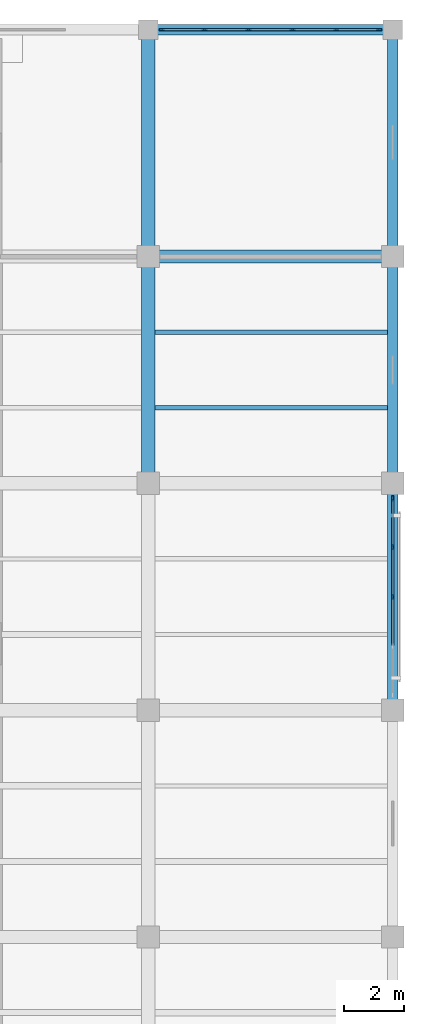
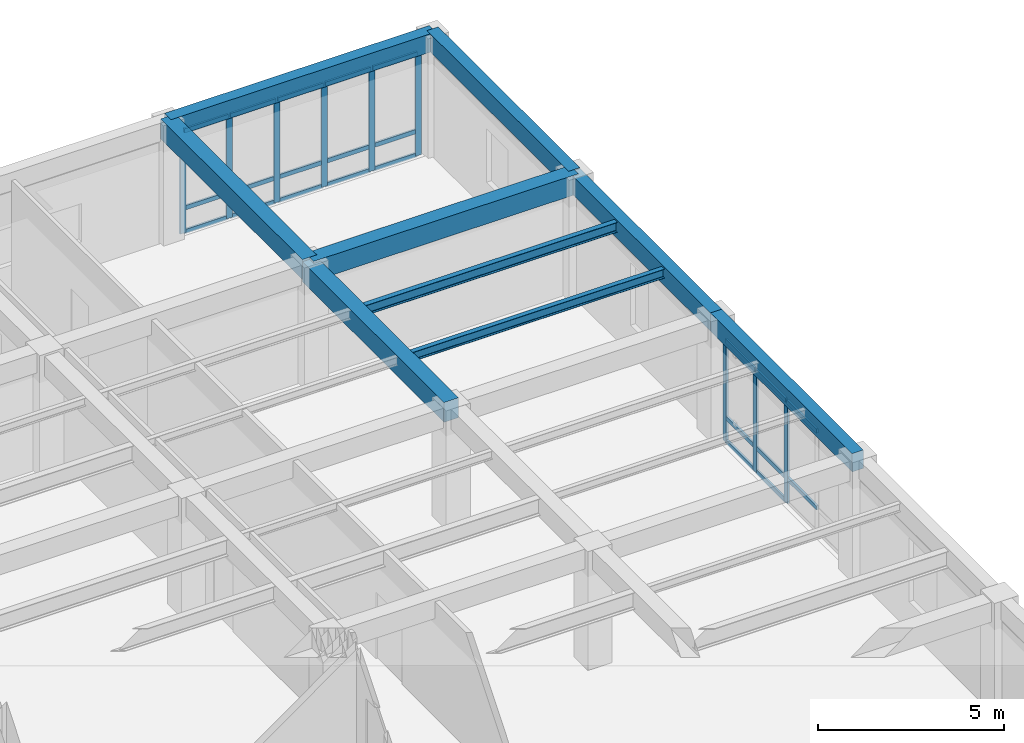
# One storey, part 5 of 14: 32 members, 9 beams, 2 elements without a shape of their own.
"""IFC4 building model written with IfcOpenShell, lengths in metres."""

from ifc_helpers import new_model, si_unit, direction, frame, origin, origin_2d, place, context, subcontext, project, spatial, rectangle, i_section, extrude, material, material_profile, profile_set, type_object, element, aggregate, save


model = new_model("IFC4")

# Units and contexts
model_context = context("Model", 3, precision=1e-05, world=origin(), true_north=direction((0.0, 1.0)))
body_context = subcontext(model_context, "Body", "Model", "MODEL_VIEW")
ifc_project = project(units=[si_unit("LENGTHUNIT", "METRE"), si_unit("AREAUNIT", "SQUARE_METRE"), si_unit("VOLUMEUNIT", "CUBIC_METRE"), si_unit("PLANEANGLEUNIT", "RADIAN"), si_unit("MASSUNIT", "GRAM", prefix="KILO")], contexts=[model_context])

# Site, building, storey
site_placement = place(None, origin())
site = spatial("IfcSite", under=ifc_project, at=site_placement, CompositionType="ELEMENT")
building_placement = place(site_placement, origin())
building = spatial("IfcBuilding", under=site, at=building_placement, Name="Qandaris Square Conservatory and Botanical Centre", CompositionType="ELEMENT")
storey_placement = place(building_placement, frame((0.0, 0.0, 49.199951171875)))
storey = spatial("IfcBuildingStorey", under=building, at=storey_placement, Name="L11", CompositionType="ELEMENT", Elevation=49.199951171875)

# Beams
ifc_material_1 = material(Name="Steel S355", Category="steel")
ifc_material_profile_1 = material_profile(ifc_material_1, i_section(OverallWidth=0.14990234375, OverallDepth=0.300048828125, WebThickness=0.007080078125, FlangeThickness=0.0107421875, FilletRadius=0.014892578125, at=origin_2d()), Name="IPE 300")
ifc_profile_set_1 = profile_set([ifc_material_profile_1], Name="Steel S355")
beam_type_1 = type_object("IfcBeamType", Name="Composite Lab Joist IPE 300", PredefinedType="JOIST", material=ifc_profile_set_1)
beam_1_placement = place(storey_placement, frame((155.824951171875, 57.13330078125, 3.739990234375), z_axis=(1.0, 0.0, 0.0), x_axis=(0.0, 1.0, 0.0)))
element("IfcBeam", 1, at=beam_1_placement, inside=storey, type_object=beam_type_1, Name="L11 Composite Joist 2642", PredefinedType="JOIST", context=body_context, shape_type="SweptSolid", body=[
    extrude(i_section(OverallWidth=0.14990234375, OverallDepth=0.300048828125, WebThickness=0.007080078125, FlangeThickness=0.0107421875, FilletRadius=0.014892578125, at=origin_2d()), origin(), (0.0, 0.0, 1.0), 7.800048828125),
])
ifc_material_profile_2 = material_profile(ifc_material_1, i_section(OverallWidth=0.159912109375, OverallDepth=0.330078125, WebThickness=0.007568359375, FlangeThickness=0.011474609375, FilletRadius=0.01806640625, at=origin_2d()), Name="IPE 330")
ifc_profile_set_2 = profile_set([ifc_material_profile_2], Name="Steel S355")
beam_type_2 = type_object("IfcBeamType", Name="Composite Lab Joist IPE 330", PredefinedType="JOIST", material=ifc_profile_set_2)
beam_2_placement = place(storey_placement, frame((155.824951171875, 59.666748046875, 3.72509765625), z_axis=(1.0, 0.0, 0.0), x_axis=(0.0, 1.0, 0.0)))
element("IfcBeam", 2, at=beam_2_placement, inside=storey, type_object=beam_type_2, Name="L11 Composite Joist 2643", PredefinedType="JOIST", context=body_context, shape_type="SweptSolid", body=[
    extrude(i_section(OverallWidth=0.159912109375, OverallDepth=0.330078125, WebThickness=0.007568359375, FlangeThickness=0.011474609375, FilletRadius=0.01806640625, at=origin_2d()), origin(), (0.0, 0.0, 1.0), 7.800048828125),
])

# Curtain wall, members
ifc_material_2 = material(Name="Anodised Aluminium", Category="aluminium")
curtain_wall_type_1 = type_object("IfcCurtainWallType", Name="Unitised Curtain Wall CW-4-665x334", PredefinedType="USERDEFINED", material=ifc_material_2)
curtain_wall_1_placement = place(storey_placement, origin())
curtain_wall_1 = element("IfcCurtainWall", 3, at=curtain_wall_1_placement, inside=storey, type_object=curtain_wall_type_1, Name="Curtain Wall CW-TWR-L11-2-5", ObjectType="GLAZED CURTAIN WALL", PredefinedType="USERDEFINED")
ifc_material_profile_3 = material_profile(ifc_material_2, rectangle(XDim=0.06494140625, YDim=0.179931640625, at=origin_2d()), Name="ALU-MUL 65x180")
ifc_profile_set_3 = profile_set([ifc_material_profile_3], Name="Anodised Aluminium")
member_type_1 = type_object("IfcMemberType", Name="Curtain Wall Mullion 65x180", PredefinedType="MULLION", material=ifc_profile_set_3)
member_1_placement = place(storey_placement, frame((163.800048828125, 50.800048828125, 0.0), z_axis=(0.0, 0.0, 1.0), x_axis=(-1.0, 0.0, 0.0)))
member_1 = element("IfcMember", 4, at=member_1_placement, type_object=member_type_1, Name="CW-4-665x334 mullion 3", PredefinedType="MULLION", context=body_context, shape_type="SweptSolid", body=[
    extrude(rectangle(XDim=0.06494140625, YDim=0.179931640625, at=origin_2d()), origin(), (0.0, 0.0, 1.0), 3.344970703125),
])
member_2_placement = place(storey_placement, frame((163.800048828125, 52.46240234375, 0.0), z_axis=(0.0, 0.0, 1.0), x_axis=(-1.0, 0.0, 0.0)))
member_2 = element("IfcMember", 5, at=member_2_placement, type_object=member_type_1, Name="CW-4-665x334 mullion 4", PredefinedType="MULLION", context=body_context, shape_type="SweptSolid", body=[
    extrude(rectangle(XDim=0.06494140625, YDim=0.179931640625, at=origin_2d()), origin(), (0.0, 0.0, 1.0), 3.344970703125),
])
member_3_placement = place(storey_placement, frame((163.800048828125, 54.092529296875, 0.0), z_axis=(0.0, 0.0, 1.0), x_axis=(-1.0, 0.0, 0.0)))
member_3 = element("IfcMember", 6, at=member_3_placement, type_object=member_type_1, Name="CW-4-665x334 mullion 5", PredefinedType="MULLION", context=body_context, shape_type="SweptSolid", body=[
    extrude(rectangle(XDim=0.06494140625, YDim=0.179931640625, at=origin_2d()), origin(), (0.0, 0.0, 1.0), 3.344970703125),
])

curtain_wall_type_2 = type_object("IfcCurtainWallType", Name="Unitised Curtain Wall CW-3-735x337", PredefinedType="USERDEFINED", material=ifc_material_2)
curtain_wall_2_placement = place(storey_placement, origin())
curtain_wall_2 = element("IfcCurtainWall", 7, at=curtain_wall_2_placement, inside=storey, type_object=curtain_wall_type_2, Name="Curtain Wall CW-TWR-L11-3-1", ObjectType="GLAZED CURTAIN WALL", PredefinedType="USERDEFINED")
member_4_placement = place(storey_placement, frame((163.342529296875, 69.800048828125, 0.0), z_axis=(0.0, 0.0, 1.0), x_axis=(0.0, -1.0, 0.0)))
member_4 = element("IfcMember", 8, at=member_4_placement, type_object=member_type_1, Name="CW-3-735x337 mullion 1", PredefinedType="MULLION", context=body_context, shape_type="SweptSolid", body=[
    extrude(rectangle(XDim=0.06494140625, YDim=0.179931640625, at=origin_2d()), origin(), (0.0, 0.0, 1.0), 3.3701171875),
])
member_5_placement = place(storey_placement, frame((161.905029296875, 69.800048828125, 0.0), z_axis=(0.0, 0.0, 1.0), x_axis=(0.0, -1.0, 0.0)))
member_5 = element("IfcMember", 9, at=member_5_placement, type_object=member_type_1, Name="CW-3-735x337 mullion 2", PredefinedType="MULLION", context=body_context, shape_type="SweptSolid", body=[
    extrude(rectangle(XDim=0.06494140625, YDim=0.179931640625, at=origin_2d()), origin(), (0.0, 0.0, 1.0), 3.3701171875),
])
member_6_placement = place(storey_placement, frame((160.43505859375, 69.800048828125, 0.0), z_axis=(0.0, 0.0, 1.0), x_axis=(0.0, -1.0, 0.0)))
member_6 = element("IfcMember", 10, at=member_6_placement, type_object=member_type_1, Name="CW-3-735x337 mullion 3", PredefinedType="MULLION", context=body_context, shape_type="SweptSolid", body=[
    extrude(rectangle(XDim=0.06494140625, YDim=0.179931640625, at=origin_2d()), origin(), (0.0, 0.0, 1.0), 3.3701171875),
])
member_7_placement = place(storey_placement, frame((158.965087890625, 69.800048828125, 0.0), z_axis=(0.0, 0.0, 1.0), x_axis=(0.0, -1.0, 0.0)))
member_7 = element("IfcMember", 11, at=member_7_placement, type_object=member_type_1, Name="CW-3-735x337 mullion 4", PredefinedType="MULLION", context=body_context, shape_type="SweptSolid", body=[
    extrude(rectangle(XDim=0.06494140625, YDim=0.179931640625, at=origin_2d()), origin(), (0.0, 0.0, 1.0), 3.3701171875),
])
member_8_placement = place(storey_placement, frame((157.4951171875, 69.800048828125, 0.0), z_axis=(0.0, 0.0, 1.0), x_axis=(0.0, -1.0, 0.0)))
member_8 = element("IfcMember", 12, at=member_8_placement, type_object=member_type_1, Name="CW-3-735x337 mullion 5", PredefinedType="MULLION", context=body_context, shape_type="SweptSolid", body=[
    extrude(rectangle(XDim=0.06494140625, YDim=0.179931640625, at=origin_2d()), origin(), (0.0, 0.0, 1.0), 3.3701171875),
])
member_9_placement = place(storey_placement, frame((156.0576171875, 69.800048828125, 0.0), z_axis=(0.0, 0.0, 1.0), x_axis=(0.0, -1.0, 0.0)))
member_9 = element("IfcMember", 13, at=member_9_placement, type_object=member_type_1, Name="CW-3-735x337 mullion 6", PredefinedType="MULLION", context=body_context, shape_type="SweptSolid", body=[
    extrude(rectangle(XDim=0.06494140625, YDim=0.179931640625, at=origin_2d()), origin(), (0.0, 0.0, 1.0), 3.3701171875),
])

# Member
ifc_material_profile_4 = material_profile(ifc_material_2, rectangle(XDim=0.06494140625, YDim=0.139892578125, at=origin_2d()), Name="ALU-TRN 65x140")
ifc_profile_set_4 = profile_set([ifc_material_profile_4], Name="Anodised Aluminium")
member_type_2 = type_object("IfcMemberType", Name="Curtain Wall Transom 65x140", PredefinedType="USERDEFINED", material=ifc_profile_set_4)
member_10_placement = place(storey_placement, frame((163.800048828125, 49.169921875, 0.802734375), z_axis=(0.0, 1.0, 0.0), x_axis=(-1.0, 0.0, 0.0)))
member_10 = element("IfcMember", 14, at=member_10_placement, type_object=member_type_2, Name="CW-4-665x334 transom 2.2", ObjectType="TRANSOM", PredefinedType="USERDEFINED", context=body_context, shape_type="SweptSolid", body=[
    extrude(rectangle(XDim=0.06494140625, YDim=0.139892578125, at=origin_2d()), origin(), (0.0, 0.0, 1.0), 1.59765625),
])

member_11_placement = place(storey_placement, frame((163.800048828125, 49.169921875, 3.3125), z_axis=(0.0, 1.0, 0.0), x_axis=(-1.0, 0.0, 0.0)))
member_11 = element("IfcMember", 15, at=member_11_placement, type_object=member_type_2, Name="CW-4-665x334 transom 2.3", ObjectType="TRANSOM", PredefinedType="USERDEFINED", context=body_context, shape_type="SweptSolid", body=[
    extrude(rectangle(XDim=0.06494140625, YDim=0.139892578125, at=origin_2d()), origin(), (0.0, 0.0, 1.0), 1.59765625),
])

member_12_placement = place(storey_placement, frame((163.800048828125, 50.83251953125, 0.032470703125), z_axis=(0.0, 1.0, 0.0), x_axis=(-1.0, 0.0, 0.0)))
member_12 = element("IfcMember", 16, at=member_12_placement, type_object=member_type_2, Name="CW-4-665x334 transom 3.1", ObjectType="TRANSOM", PredefinedType="USERDEFINED", context=body_context, shape_type="SweptSolid", body=[
    extrude(rectangle(XDim=0.06494140625, YDim=0.139892578125, at=origin_2d()), origin(), (0.0, 0.0, 1.0), 1.597412109375),
])

member_13_placement = place(storey_placement, frame((163.800048828125, 50.83251953125, 0.802734375), z_axis=(0.0, 1.0, 0.0), x_axis=(-1.0, 0.0, 0.0)))
member_13 = element("IfcMember", 17, at=member_13_placement, type_object=member_type_2, Name="CW-4-665x334 transom 3.2", ObjectType="TRANSOM", PredefinedType="USERDEFINED", context=body_context, shape_type="SweptSolid", body=[
    extrude(rectangle(XDim=0.06494140625, YDim=0.139892578125, at=origin_2d()), origin(), (0.0, 0.0, 1.0), 1.597412109375),
])

member_14_placement = place(storey_placement, frame((163.800048828125, 50.83251953125, 3.3125), z_axis=(0.0, 1.0, 0.0), x_axis=(-1.0, 0.0, 0.0)))
member_14 = element("IfcMember", 18, at=member_14_placement, type_object=member_type_2, Name="CW-4-665x334 transom 3.3", ObjectType="TRANSOM", PredefinedType="USERDEFINED", context=body_context, shape_type="SweptSolid", body=[
    extrude(rectangle(XDim=0.06494140625, YDim=0.139892578125, at=origin_2d()), origin(), (0.0, 0.0, 1.0), 1.597412109375),
])

member_15_placement = place(storey_placement, frame((163.800048828125, 52.4951171875, 0.032470703125), z_axis=(0.0, 1.0, 0.0), x_axis=(-1.0, 0.0, 0.0)))
member_15 = element("IfcMember", 19, at=member_15_placement, type_object=member_type_2, Name="CW-4-665x334 transom 4.1", ObjectType="TRANSOM", PredefinedType="USERDEFINED", context=body_context, shape_type="SweptSolid", body=[
    extrude(rectangle(XDim=0.06494140625, YDim=0.139892578125, at=origin_2d()), origin(), (0.0, 0.0, 1.0), 1.56494140625),
])

member_16_placement = place(storey_placement, frame((163.800048828125, 52.4951171875, 0.802734375), z_axis=(0.0, 1.0, 0.0), x_axis=(-1.0, 0.0, 0.0)))
member_16 = element("IfcMember", 20, at=member_16_placement, type_object=member_type_2, Name="CW-4-665x334 transom 4.2", ObjectType="TRANSOM", PredefinedType="USERDEFINED", context=body_context, shape_type="SweptSolid", body=[
    extrude(rectangle(XDim=0.06494140625, YDim=0.139892578125, at=origin_2d()), origin(), (0.0, 0.0, 1.0), 1.56494140625),
])

member_17_placement = place(storey_placement, frame((163.800048828125, 52.4951171875, 3.3125), z_axis=(0.0, 1.0, 0.0), x_axis=(-1.0, 0.0, 0.0)))
member_17 = element("IfcMember", 21, at=member_17_placement, type_object=member_type_2, Name="CW-4-665x334 transom 4.3", ObjectType="TRANSOM", PredefinedType="USERDEFINED", context=body_context, shape_type="SweptSolid", body=[
    extrude(rectangle(XDim=0.06494140625, YDim=0.139892578125, at=origin_2d()), origin(), (0.0, 0.0, 1.0), 1.56494140625),
])

aggregate(curtain_wall_1, [member_1, member_2, member_3, member_10, member_11, member_12, member_13, member_14, member_15, member_16, member_17])

member_18_placement = place(storey_placement, frame((163.31005859375, 69.800048828125, 0.032470703125), z_axis=(-1.0, 0.0, 0.0), x_axis=(0.0, -1.0, 0.0)))
member_18 = element("IfcMember", 22, at=member_18_placement, type_object=member_type_2, Name="CW-3-735x337 transom 1.1", ObjectType="TRANSOM", PredefinedType="USERDEFINED", context=body_context, shape_type="SweptSolid", body=[
    extrude(rectangle(XDim=0.06494140625, YDim=0.139892578125, at=origin_2d()), origin(), (0.0, 0.0, 1.0), 1.37255859375),
])

member_19_placement = place(storey_placement, frame((163.31005859375, 69.800048828125, 0.808837890625), z_axis=(-1.0, 0.0, 0.0), x_axis=(0.0, -1.0, 0.0)))
member_19 = element("IfcMember", 23, at=member_19_placement, type_object=member_type_2, Name="CW-3-735x337 transom 1.2", ObjectType="TRANSOM", PredefinedType="USERDEFINED", context=body_context, shape_type="SweptSolid", body=[
    extrude(rectangle(XDim=0.06494140625, YDim=0.139892578125, at=origin_2d()), origin(), (0.0, 0.0, 1.0), 1.37255859375),
])

member_20_placement = place(storey_placement, frame((163.31005859375, 69.800048828125, 3.337646484375), z_axis=(-1.0, 0.0, 0.0), x_axis=(0.0, -1.0, 0.0)))
member_20 = element("IfcMember", 24, at=member_20_placement, type_object=member_type_2, Name="CW-3-735x337 transom 1.3", ObjectType="TRANSOM", PredefinedType="USERDEFINED", context=body_context, shape_type="SweptSolid", body=[
    extrude(rectangle(XDim=0.06494140625, YDim=0.139892578125, at=origin_2d()), origin(), (0.0, 0.0, 1.0), 1.37255859375),
])

member_21_placement = place(storey_placement, frame((161.87255859375, 69.800048828125, 0.032470703125), z_axis=(-1.0, 0.0, 0.0), x_axis=(0.0, -1.0, 0.0)))
member_21 = element("IfcMember", 25, at=member_21_placement, type_object=member_type_2, Name="CW-3-735x337 transom 2.1", ObjectType="TRANSOM", PredefinedType="USERDEFINED", context=body_context, shape_type="SweptSolid", body=[
    extrude(rectangle(XDim=0.06494140625, YDim=0.139892578125, at=origin_2d()), origin(), (0.0, 0.0, 1.0), 1.405029296875),
])

member_22_placement = place(storey_placement, frame((161.87255859375, 69.800048828125, 0.808837890625), z_axis=(-1.0, 0.0, 0.0), x_axis=(0.0, -1.0, 0.0)))
member_22 = element("IfcMember", 26, at=member_22_placement, type_object=member_type_2, Name="CW-3-735x337 transom 2.2", ObjectType="TRANSOM", PredefinedType="USERDEFINED", context=body_context, shape_type="SweptSolid", body=[
    extrude(rectangle(XDim=0.06494140625, YDim=0.139892578125, at=origin_2d()), origin(), (0.0, 0.0, 1.0), 1.405029296875),
])

member_23_placement = place(storey_placement, frame((161.87255859375, 69.800048828125, 3.337646484375), z_axis=(-1.0, 0.0, 0.0), x_axis=(0.0, -1.0, 0.0)))
member_23 = element("IfcMember", 27, at=member_23_placement, type_object=member_type_2, Name="CW-3-735x337 transom 2.3", ObjectType="TRANSOM", PredefinedType="USERDEFINED", context=body_context, shape_type="SweptSolid", body=[
    extrude(rectangle(XDim=0.06494140625, YDim=0.139892578125, at=origin_2d()), origin(), (0.0, 0.0, 1.0), 1.405029296875),
])

member_24_placement = place(storey_placement, frame((160.402587890625, 69.800048828125, 0.032470703125), z_axis=(-1.0, 0.0, 0.0), x_axis=(0.0, -1.0, 0.0)))
member_24 = element("IfcMember", 28, at=member_24_placement, type_object=member_type_2, Name="CW-3-735x337 transom 3.1", ObjectType="TRANSOM", PredefinedType="USERDEFINED", context=body_context, shape_type="SweptSolid", body=[
    extrude(rectangle(XDim=0.06494140625, YDim=0.139892578125, at=origin_2d()), origin(), (0.0, 0.0, 1.0), 1.405029296875),
])

member_25_placement = place(storey_placement, frame((160.402587890625, 69.800048828125, 0.808837890625), z_axis=(-1.0, 0.0, 0.0), x_axis=(0.0, -1.0, 0.0)))
member_25 = element("IfcMember", 29, at=member_25_placement, type_object=member_type_2, Name="CW-3-735x337 transom 3.2", ObjectType="TRANSOM", PredefinedType="USERDEFINED", context=body_context, shape_type="SweptSolid", body=[
    extrude(rectangle(XDim=0.06494140625, YDim=0.139892578125, at=origin_2d()), origin(), (0.0, 0.0, 1.0), 1.405029296875),
])

member_26_placement = place(storey_placement, frame((160.402587890625, 69.800048828125, 3.337646484375), z_axis=(-1.0, 0.0, 0.0), x_axis=(0.0, -1.0, 0.0)))
member_26 = element("IfcMember", 30, at=member_26_placement, type_object=member_type_2, Name="CW-3-735x337 transom 3.3", ObjectType="TRANSOM", PredefinedType="USERDEFINED", context=body_context, shape_type="SweptSolid", body=[
    extrude(rectangle(XDim=0.06494140625, YDim=0.139892578125, at=origin_2d()), origin(), (0.0, 0.0, 1.0), 1.405029296875),
])

member_27_placement = place(storey_placement, frame((158.9326171875, 69.800048828125, 0.032470703125), z_axis=(-1.0, 0.0, 0.0), x_axis=(0.0, -1.0, 0.0)))
member_27 = element("IfcMember", 31, at=member_27_placement, type_object=member_type_2, Name="CW-3-735x337 transom 4.1", ObjectType="TRANSOM", PredefinedType="USERDEFINED", context=body_context, shape_type="SweptSolid", body=[
    extrude(rectangle(XDim=0.06494140625, YDim=0.139892578125, at=origin_2d()), origin(), (0.0, 0.0, 1.0), 1.405029296875),
])

member_28_placement = place(storey_placement, frame((158.9326171875, 69.800048828125, 0.808837890625), z_axis=(-1.0, 0.0, 0.0), x_axis=(0.0, -1.0, 0.0)))
member_28 = element("IfcMember", 32, at=member_28_placement, type_object=member_type_2, Name="CW-3-735x337 transom 4.2", ObjectType="TRANSOM", PredefinedType="USERDEFINED", context=body_context, shape_type="SweptSolid", body=[
    extrude(rectangle(XDim=0.06494140625, YDim=0.139892578125, at=origin_2d()), origin(), (0.0, 0.0, 1.0), 1.405029296875),
])

member_29_placement = place(storey_placement, frame((158.9326171875, 69.800048828125, 3.337646484375), z_axis=(-1.0, 0.0, 0.0), x_axis=(0.0, -1.0, 0.0)))
member_29 = element("IfcMember", 33, at=member_29_placement, type_object=member_type_2, Name="CW-3-735x337 transom 4.3", ObjectType="TRANSOM", PredefinedType="USERDEFINED", context=body_context, shape_type="SweptSolid", body=[
    extrude(rectangle(XDim=0.06494140625, YDim=0.139892578125, at=origin_2d()), origin(), (0.0, 0.0, 1.0), 1.405029296875),
])

member_30_placement = place(storey_placement, frame((157.46240234375, 69.800048828125, 0.032470703125), z_axis=(-1.0, 0.0, 0.0), x_axis=(0.0, -1.0, 0.0)))
member_30 = element("IfcMember", 34, at=member_30_placement, type_object=member_type_2, Name="CW-3-735x337 transom 5.1", ObjectType="TRANSOM", PredefinedType="USERDEFINED", context=body_context, shape_type="SweptSolid", body=[
    extrude(rectangle(XDim=0.06494140625, YDim=0.139892578125, at=origin_2d()), origin(), (0.0, 0.0, 1.0), 1.372314453125),
])

member_31_placement = place(storey_placement, frame((157.46240234375, 69.800048828125, 0.808837890625), z_axis=(-1.0, 0.0, 0.0), x_axis=(0.0, -1.0, 0.0)))
member_31 = element("IfcMember", 35, at=member_31_placement, type_object=member_type_2, Name="CW-3-735x337 transom 5.2", ObjectType="TRANSOM", PredefinedType="USERDEFINED", context=body_context, shape_type="SweptSolid", body=[
    extrude(rectangle(XDim=0.06494140625, YDim=0.139892578125, at=origin_2d()), origin(), (0.0, 0.0, 1.0), 1.372314453125),
])

member_32_placement = place(storey_placement, frame((157.46240234375, 69.800048828125, 3.337646484375), z_axis=(-1.0, 0.0, 0.0), x_axis=(0.0, -1.0, 0.0)))
member_32 = element("IfcMember", 36, at=member_32_placement, type_object=member_type_2, Name="CW-3-735x337 transom 5.3", ObjectType="TRANSOM", PredefinedType="USERDEFINED", context=body_context, shape_type="SweptSolid", body=[
    extrude(rectangle(XDim=0.06494140625, YDim=0.139892578125, at=origin_2d()), origin(), (0.0, 0.0, 1.0), 1.372314453125),
])

aggregate(curtain_wall_2, [member_4, member_5, member_6, member_7, member_8, member_9, member_18, member_19, member_20, member_21, member_22, member_23, member_24, member_25, member_26, member_27, member_28, member_29, member_30, member_31, member_32])

# Beams
ifc_material_3 = material(Name="Concrete C50/60", Category="concrete")
ifc_material_profile_5 = material_profile(ifc_material_3, rectangle(XDim=0.35009765625, YDim=0.60009765625, at=origin_2d()), Name="RC-SP 350x600")
ifc_profile_set_5 = profile_set([ifc_material_profile_5], Name="Concrete C50/60")
beam_type_3 = type_object("IfcBeamType", Name="RC Edge Spandrel Beam 350x600", PredefinedType="SPANDREL", material=ifc_profile_set_5)
beam_3_placement = place(storey_placement, frame((155.60009765625, 69.800048828125, 3.670166015625), z_axis=(1.0, 0.0, 0.0), x_axis=(0.0, 1.0, 0.0)))
element("IfcBeam", 37, at=beam_3_placement, inside=storey, type_object=beam_type_3, Name="L11 Frame Beam 2573", PredefinedType="SPANDREL", context=body_context, shape_type="SweptSolid", body=[
    extrude(rectangle(XDim=0.35009765625, YDim=0.60009765625, at=origin_2d()), origin(), (0.0, 0.0, 1.0), 8.199951171875),
])
beam_4_placement = place(storey_placement, frame((163.800048828125, 47.0, 3.64501953125), z_axis=(0.0, 1.0, 0.0), x_axis=(-1.0, 0.0, 0.0)))
element("IfcBeam", 38, at=beam_4_placement, inside=storey, type_object=beam_type_3, Name="L11 Frame Beam 2605", PredefinedType="SPANDREL", context=body_context, shape_type="SweptSolid", body=[
    extrude(rectangle(XDim=0.35009765625, YDim=0.60009765625, at=origin_2d()), origin(), (0.0, 0.0, 1.0), 7.60009765625),
])
beam_5_placement = place(storey_placement, frame((163.800048828125, 54.60009765625, 3.64501953125), z_axis=(0.0, 1.0, 0.0), x_axis=(-1.0, 0.0, 0.0)))
element("IfcBeam", 39, at=beam_5_placement, inside=storey, type_object=beam_type_3, Name="L11 Frame Beam 2606", PredefinedType="SPANDREL", context=body_context, shape_type="SweptSolid", body=[
    extrude(rectangle(XDim=0.35009765625, YDim=0.60009765625, at=origin_2d()), origin(), (0.0, 0.0, 1.0), 7.599853515625),
])
beam_6_placement = place(storey_placement, frame((163.800048828125, 62.199951171875, 3.670166015625), z_axis=(0.0, 1.0, 0.0), x_axis=(-1.0, 0.0, 0.0)))
element("IfcBeam", 40, at=beam_6_placement, inside=storey, type_object=beam_type_3, Name="L11 Frame Beam 2607", PredefinedType="SPANDREL", context=body_context, shape_type="SweptSolid", body=[
    extrude(rectangle(XDim=0.35009765625, YDim=0.60009765625, at=origin_2d()), origin(), (0.0, 0.0, 1.0), 7.60009765625),
])
ifc_material_profile_6 = material_profile(ifc_material_3, rectangle(XDim=0.449951171875, YDim=0.64990234375, at=origin_2d()), Name="RC-BM 450x650")
ifc_profile_set_6 = profile_set([ifc_material_profile_6], Name="Concrete C50/60")
beam_type_4 = type_object("IfcBeamType", Name="RC Floor Girder 450x650", PredefinedType="BEAM", material=ifc_profile_set_6)
beam_7_placement = place(storey_placement, frame((155.60009765625, 62.199951171875, 3.64501953125), z_axis=(1.0, 0.0, 0.0), x_axis=(0.0, 1.0, 0.0)))
element("IfcBeam", 41, at=beam_7_placement, inside=storey, type_object=beam_type_4, Name="L11 Frame Beam 2570", PredefinedType="BEAM", context=body_context, shape_type="SweptSolid", body=[
    extrude(rectangle(XDim=0.449951171875, YDim=0.64990234375, at=origin_2d()), origin(), (0.0, 0.0, 1.0), 8.199951171875),
])
beam_8_placement = place(storey_placement, frame((155.60009765625, 54.60009765625, 3.574951171875), z_axis=(0.0, 1.0, 0.0), x_axis=(-1.0, 0.0, 0.0)))
element("IfcBeam", 42, at=beam_8_placement, inside=storey, type_object=beam_type_4, Name="L11 Frame Beam 2599", PredefinedType="BEAM", context=body_context, shape_type="SweptSolid", body=[
    extrude(rectangle(XDim=0.449951171875, YDim=0.64990234375, at=origin_2d()), origin(), (0.0, 0.0, 1.0), 7.599853515625),
])
beam_9_placement = place(storey_placement, frame((155.60009765625, 62.199951171875, 3.64501953125), z_axis=(0.0, 1.0, 0.0), x_axis=(-1.0, 0.0, 0.0)))
element("IfcBeam", 43, at=beam_9_placement, inside=storey, type_object=beam_type_4, Name="L11 Frame Beam 2600", PredefinedType="BEAM", context=body_context, shape_type="SweptSolid", body=[
    extrude(rectangle(XDim=0.449951171875, YDim=0.64990234375, at=origin_2d()), origin(), (0.0, 0.0, 1.0), 7.60009765625),
])

save(model, "model.ifc")
